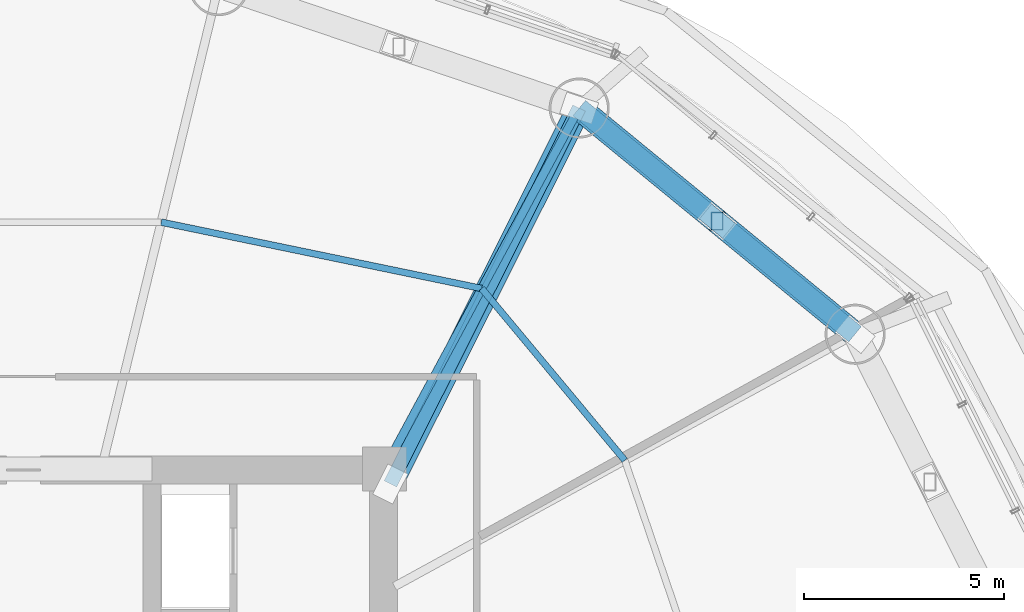
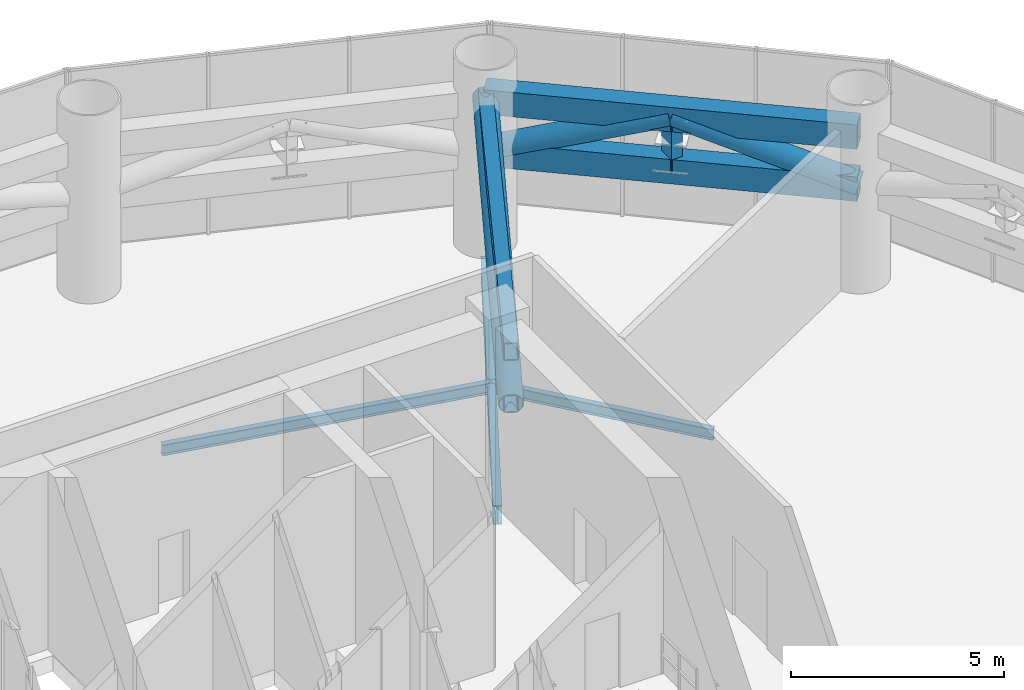
# One storey, part 22 of 33: 8 members, 3 beams.
"""IFC4 building model written with IfcOpenShell, lengths in metres."""

from ifc_helpers import new_model, si_unit, direction, frame, origin, origin_2d, place, context, subcontext, project, spatial, hollow_rectangle, hollow_circle, i_section, extrude, source, transform, mapped, material, material_profile, profile_set, type_object, element, save


model = new_model("IFC4")

# Units and contexts
model_context = context("Model", 3, precision=1e-05, world=origin(), true_north=direction((-0.2419218956, 0.970295726276)))
body_context = subcontext(model_context, "Body", "Model", "MODEL_VIEW")
ifc_project = project(units=[si_unit("LENGTHUNIT", "METRE"), si_unit("AREAUNIT", "SQUARE_METRE"), si_unit("VOLUMEUNIT", "CUBIC_METRE"), si_unit("PLANEANGLEUNIT", "RADIAN"), si_unit("MASSUNIT", "GRAM", prefix="KILO")], contexts=[model_context])

# Site, building, storey
site_placement = place(None, origin())
site = spatial("IfcSite", under=ifc_project, at=site_placement, CompositionType="ELEMENT")
building_placement = place(site_placement, origin())
building = spatial("IfcBuilding", under=site, at=building_placement, Name="Cobrevalo Terracotta Tower", CompositionType="ELEMENT")
storey_placement = place(building_placement, frame((0.0, 0.0, 74.39990234375)))
storey = spatial("IfcBuildingStorey", under=building, at=storey_placement, Name="L19", CompositionType="ELEMENT", Elevation=74.39990234375)

# Beams
ifc_material = material(Name="Steel S355", Category="steel")
ifc_material_profile_1 = material_profile(ifc_material, i_section(OverallWidth=0.2109375, OverallDepth=0.5390625, WebThickness=0.01171875, FlangeThickness=0.018798828125, at=origin_2d()), Name="W 530x109")
ifc_profile_set_1 = profile_set([ifc_material_profile_1], Name="Steel S355")
beam_type_1 = type_object("IfcBeamType", Name="Structural Beam W 530x109 (Steel S355)", PredefinedType="BEAM", material=ifc_profile_set_1)
beam_1_placement = place(storey_placement, frame((51.861572265625, 43.803466796875, -0.719482421875), z_axis=(-0.475128224431, -0.879916570107, 0.0), x_axis=(0.879916570107, -0.475128224431, 0.0)))
element("IfcBeam", 1, at=beam_1_placement, inside=storey, type_object=beam_type_1, Name="L19 radial floor girder 03", PredefinedType="BEAM", context=body_context, shape_type="SweptSolid", body=[
    extrude(i_section(OverallWidth=0.2109375, OverallDepth=0.5390625, WebThickness=0.01171875, FlangeThickness=0.018798828125, at=origin_2d()), origin(), (0.0, 0.0, 1.0), 10.232177734375),
])
ifc_material_profile_2 = material_profile(ifc_material, i_section(OverallWidth=0.1650390625, OverallDepth=0.31005859375, WebThickness=0.005859375, FlangeThickness=0.009765625, at=origin_2d()), Name="W 310x38.7")
ifc_profile_set_2 = profile_set([ifc_material_profile_2], Name="Steel S355")
beam_type_2 = type_object("IfcBeamType", Name="Structural Joist W 310x38.7 (Steel S355)", PredefinedType="JOIST", material=ifc_profile_set_2)
beam_2_placement = place(storey_placement, frame((53.0, 35.01513671875, -0.60498046875), z_axis=(-0.639882999398, 0.768472346335, 0.0), x_axis=(-0.768472346335, -0.639882999398, 0.0)))
element("IfcBeam", 2, at=beam_2_placement, inside=storey, type_object=beam_type_2, Name="L19 circumferential secondary floor joist 02", PredefinedType="JOIST", context=body_context, shape_type="SweptSolid", body=[
    extrude(i_section(OverallWidth=0.1650390625, OverallDepth=0.31005859375, WebThickness=0.005859375, FlangeThickness=0.009765625, at=origin_2d()), origin(), (0.0, 0.0, 1.0), 5.578125),
])
beam_3_placement = place(storey_placement, frame((49.4306640625, 39.3017578125, -0.60498046875), z_axis=(-0.979257146096, 0.202621424879, 0.0), x_axis=(-0.202621424879, -0.979257146096, 0.0)))
element("IfcBeam", 3, at=beam_3_placement, inside=storey, type_object=beam_type_2, Name="L19 circumferential secondary floor joist 03", PredefinedType="JOIST", context=body_context, shape_type="SweptSolid", body=[
    extrude(i_section(OverallWidth=0.1650390625, OverallDepth=0.31005859375, WebThickness=0.005859375, FlangeThickness=0.009765625, at=origin_2d()), origin(), (0.0, 0.0, 1.0), 8.16455078125),
])

# Members
ifc_material_profile_3 = material_profile(ifc_material, hollow_rectangle(XDim=0.300048828125, YDim=0.449951171875, WallThickness=0.02001953125, at=origin_2d()), Name="RHS 450x300x20")
ifc_profile_set_3 = profile_set([ifc_material_profile_3], Name="Steel S355")
member_type_1 = type_object("IfcMemberType", Name="Steel Post RHS 450x300x20 (Steel S355)", PredefinedType="POST", material=ifc_profile_set_3)
shared_shape_1 = source(origin(), body_context, "Body", "SweptSolid", [
    extrude(hollow_rectangle(XDim=0.300048828125, YDim=0.449951171875, WallThickness=0.02001953125, at=origin_2d()), origin(), (0.0, 0.0, 1.0), 1.494873046875),
])
member_1_placement = place(storey_placement, frame((55.30322265625, 40.982421875, 2.650146484375), z_axis=(0.0, 0.0, 1.0), x_axis=(1.0, 0.0, 0.0)))
element("IfcMember", 4, at=member_1_placement, inside=storey, type_object=member_type_1, Name="L19 belt truss post 02", PredefinedType="POST", context=body_context, shape_type="MappedRepresentation", body=[
    mapped(shared_shape_1, transform((0.0, 0.0, 0.0), scale=1.0)),
])
ifc_material_profile_4 = material_profile(ifc_material, hollow_rectangle(XDim=0.5, YDim=0.699951171875, WallThickness=0.031982421875, at=origin_2d()), Name="RHS 700x500x32")
ifc_profile_set_4 = profile_set([ifc_material_profile_4], Name="Steel S355")
member_type_2 = type_object("IfcMemberType", Name="Steel Chord RHS 700x500x32 (Steel S355)", PredefinedType="CHORD", material=ifc_profile_set_4)
shared_shape_2 = source(origin(), body_context, "Body", "SweptSolid", [
    extrude(hollow_rectangle(XDim=0.5, YDim=0.699951171875, WallThickness=0.031982421875, at=origin_2d()), origin(), (0.0, 0.0, 1.0), 8.900390625),
])
for number, where, z_axis, x_axis, name in (
    (5, (58.7451171875, 38.161376953125, 2.650146484375), (-0.773400923541, 0.633917196064, 0.0), (-0.633917196064, -0.773400923541, 0.0), "L19 belt truss chord 02-BC"),
    (6, (58.7451171875, 38.161376953125, 4.14501953125), (-0.773400923541, 0.633917196064, 0.0), (-0.633917196064, -0.773400923541, 0.0), "L19 belt truss chord 02-TC"),
):
    element("IfcMember", number, at=place(storey_placement, frame(where, z_axis=z_axis, x_axis=x_axis)), inside=storey, type_object=member_type_2, Name=name, PredefinedType="CHORD", context=body_context, shape_type="MappedRepresentation", body=[
        mapped(shared_shape_2, transform((0.0, 0.0, 0.0), scale=1.0)),
    ])
ifc_material_profile_5 = material_profile(ifc_material, hollow_circle(Radius=0.304931640625, WallThickness=0.02490234375, at=origin_2d()), Name="CHS 610x25")
ifc_profile_set_5 = profile_set([ifc_material_profile_5], Name="Steel S355")
member_type_3 = type_object("IfcMemberType", Name="Steel Brace CHS 610x25 (Steel S355)", PredefinedType="BRACE", material=ifc_profile_set_5)
shared_shape_3 = source(origin(), body_context, "Body", "SweptSolid", [
    extrude(hollow_circle(Radius=0.304931640625, WallThickness=0.02490234375, at=origin_2d()), origin(), (0.0, 0.0, 1.0), 4.694580078125),
])
member_2_placement = place(storey_placement, frame((58.7451171875, 38.161376953125, 2.650146484375), z_axis=(-0.733155205541, 0.600908526034, 0.318421713969), x_axis=(-0.633903747879, -0.773411946136, 0.0)))
element("IfcMember", 7, at=member_2_placement, inside=storey, type_object=member_type_3, Name="L19 belt truss diagonal brace 02-D1", PredefinedType="BRACE", context=body_context, shape_type="MappedRepresentation", body=[
    mapped(shared_shape_3, transform((0.0, 0.0, 0.0), scale=1.0)),
])
shared_shape_4 = source(origin(), body_context, "Body", "SweptSolid", [
    extrude(hollow_circle(Radius=0.304931640625, WallThickness=0.02490234375, at=origin_2d()), origin(), (0.0, 0.0, 1.0), 4.6943359375),
])
member_3_placement = place(storey_placement, frame((51.861572265625, 43.803466796875, 2.650146484375), z_axis=(0.733131153085, -0.600931437461, 0.318433854745), x_axis=(0.633930644629, 0.773389900245, 0.0)))
element("IfcMember", 8, at=member_3_placement, inside=storey, type_object=member_type_3, Name="L19 belt truss diagonal brace 02-D2", PredefinedType="BRACE", context=body_context, shape_type="MappedRepresentation", body=[
    mapped(shared_shape_4, transform((0.0, 0.0, 0.0), scale=1.0)),
])
ifc_material_profile_6 = material_profile(ifc_material, hollow_rectangle(XDim=0.35009765625, YDim=0.5, WallThickness=0.02197265625, at=origin_2d()), Name="RHS 500x350x22")
ifc_profile_set_6 = profile_set([ifc_material_profile_6], Name="Steel S355")
member_type_4 = type_object("IfcMemberType", Name="Steel Chord RHS 500x350x22 (Steel S355)", PredefinedType="CHORD", material=ifc_profile_set_6)
shared_shape_5 = source(origin(), body_context, "Body", "SweptSolid", [
    extrude(hollow_rectangle(XDim=0.35009765625, YDim=0.5, WallThickness=0.02197265625, at=origin_2d()), origin(), (0.0, 0.0, 1.0), 10.495361328125),
])
for number, where, z_axis, x_axis, name in (
    (9, (47.14990234375, 34.425048828125, 2.650146484375), (0.448924826969, 0.893569527083, 0.0), (-0.893569527083, 0.448924826969, 0.0), "L19 radial outrigger bottom chord 1"),
    (10, (47.14990234375, 34.425048828125, 4.14501953125), (0.448924826969, 0.893569527083, 0.0), (-0.893569527083, 0.448924826969, 0.0), "L19 radial outrigger top chord 1"),
):
    element("IfcMember", number, at=place(storey_placement, frame(where, z_axis=z_axis, x_axis=x_axis)), inside=storey, type_object=member_type_4, Name=name, PredefinedType="CHORD", context=body_context, shape_type="MappedRepresentation", body=[
        mapped(shared_shape_5, transform((0.0, 0.0, 0.0), scale=1.0)),
    ])
shared_shape_6 = source(origin(), body_context, "Body", "SweptSolid", [
    extrude(hollow_circle(Radius=0.304931640625, WallThickness=0.02490234375, at=origin_2d()), origin(), (0.0, 0.0, 1.0), 10.601318359375),
])
member_4_placement = place(storey_placement, frame((47.14990234375, 34.425048828125, 2.650146484375), z_axis=(0.444439411071, 0.884641460018, 0.141007436343), x_axis=(-0.893569527083, 0.448924826969, 0.0)))
element("IfcMember", 11, at=member_4_placement, inside=storey, type_object=member_type_3, Name="L19 radial outrigger diagonal brace 1A", PredefinedType="BRACE", context=body_context, shape_type="MappedRepresentation", body=[
    mapped(shared_shape_6, transform((0.0, 0.0, 0.0), scale=1.0)),
])

save(model, "model.ifc")
